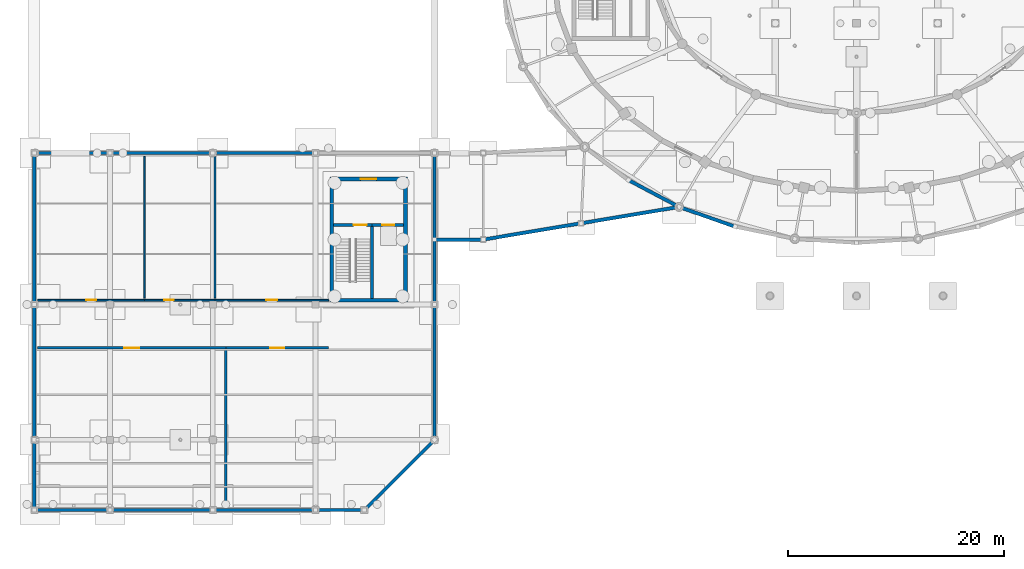
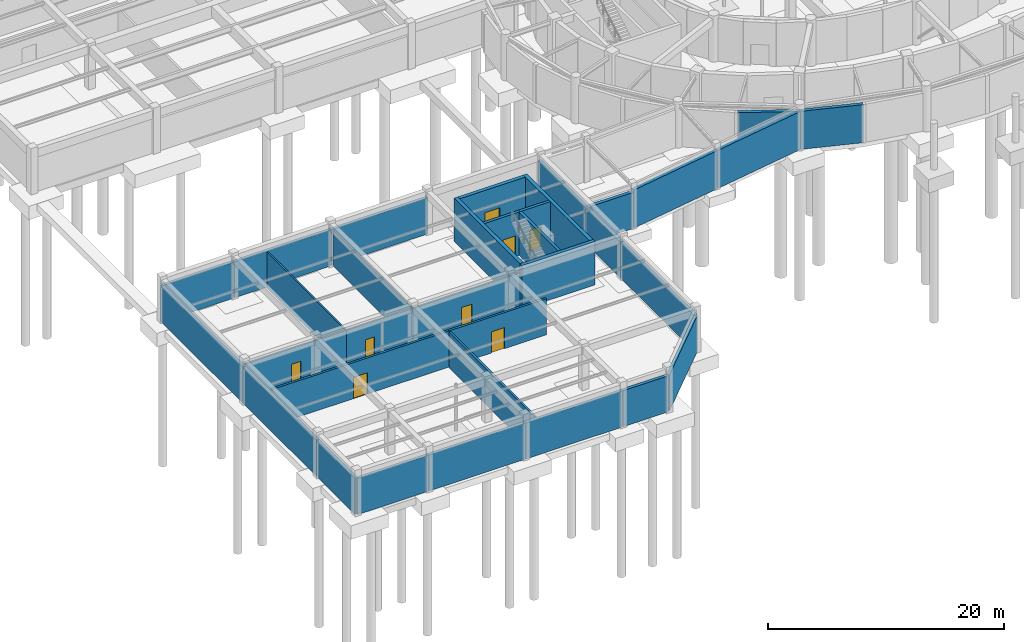
# One storey, part 19 of 42: 34 walls, 8 doors, 8 openings.
"""IFC4 building model written with IfcOpenShell, lengths in metres."""

from ifc_helpers import new_model, si_unit, direction, frame, frame_2d, origin, place, context, subcontext, project, spatial, rectangle, extrude, material, layer, layer_set, type_object, element, fill, save


model = new_model("IFC4")

# Units and contexts
model_context = context("Model", 3, precision=1e-05, world=origin(), true_north=direction((0.0, 1.0)))
body_context = subcontext(model_context, "Body", "Model", "MODEL_VIEW")
ifc_project = project(units=[si_unit("LENGTHUNIT", "METRE"), si_unit("AREAUNIT", "SQUARE_METRE"), si_unit("VOLUMEUNIT", "CUBIC_METRE"), si_unit("PLANEANGLEUNIT", "RADIAN"), si_unit("MASSUNIT", "GRAM", prefix="KILO")], contexts=[model_context])

# Site, building, storey
site_placement = place(None, origin())
site = spatial("IfcSite", under=ifc_project, at=site_placement, CompositionType="ELEMENT")
building_placement = place(site_placement, origin())
building = spatial("IfcBuilding", under=site, at=building_placement, Name="Tarnveldt Headland Concert Hall", CompositionType="ELEMENT")
storey_placement = place(building_placement, frame((0.0, 0.0, -4.800048828125)))
storey = spatial("IfcBuildingStorey", under=building, at=storey_placement, Name="B1", CompositionType="ELEMENT", Elevation=-4.800048828125)

# Wall
ifc_material_1 = material(Name="Concrete C40/50", Category="concrete")
ifc_layer_1 = layer(ifc_material_1, 0.35009765625, Name="Concrete C40/50", Category="concrete")
ifc_layer_set_1 = layer_set([ifc_layer_1], Name="Concrete C40/50")
wall_type_1 = type_object("IfcWallType", Name="WL-CR350", PredefinedType="SHEAR", material=ifc_layer_set_1)
wall_1_placement = place(storey_placement, frame((34.824951171875, 24.39990234375, 0.0), z_axis=(0.0, 0.0, 1.0), x_axis=(1.0, 0.0, 0.0)))
element("IfcWall", 1, at=wall_1_placement, inside=storey, type_object=wall_type_1, Name="Core C5 south shear wall B1", PredefinedType="SHEAR", context=body_context, shape_type="SweptSolid", body=[
    extrude(rectangle(XDim=7.150146484375, YDim=0.35009765625, at=frame_2d((3.5751953125, 0.0))), origin(), (0.0, 0.0, 1.0), 4.5),
])

# Wall, opening, door
wall_2_placement = place(storey_placement, frame((35.175048828125, 35.60009765625, 0.0), z_axis=(0.0, 0.0, 1.0), x_axis=(1.0, 0.0, 0.0)))
wall_2 = element("IfcWall", 2, at=wall_2_placement, inside=storey, type_object=wall_type_1, Name="Core C5 north shear wall B1", PredefinedType="SHEAR", context=body_context, shape_type="SweptSolid", body=[
    extrude(rectangle(XDim=6.449951171875, YDim=0.35009765625, at=frame_2d((3.22509765625, 0.0))), origin(), (0.0, 0.0, 1.0), 4.5),
])
opening_1_placement = place(wall_2_placement, frame((2.5, 0.0, 0.0)))
opening_1 = element("IfcOpeningElement", 3, at=opening_1_placement, cuts=wall_2, Name="Opening LBD-C5-B1", PredefinedType="OPENING", context=body_context, shape_type="SweptSolid", body=[
    extrude(rectangle(XDim=1.449951171875, YDim=2.199951171875, at=frame_2d((0.72509765625, 1.10009765625))), frame((0.0, 0.18505859375, 0.0), z_axis=(0.0, -1.0, 0.0), x_axis=(1.0, 0.0, 0.0)), (0.0, 0.0, 1.0), 0.3701171875),
])
ifc_material_2 = material(Name="Galvanised painted steel sheet", Category="steel")
door_type_1 = type_object("IfcDoorType", Name="DR-LB145", OperationType="NOTDEFINED", PredefinedType="DOOR", material=ifc_material_2)
door_1_placement = place(opening_1_placement, origin())
door_1 = element("IfcDoor", 4, at=door_1_placement, inside=storey, type_object=door_type_1, Name="Core C5 lobby entrance door B1", OperationType="SINGLE_SWING_RIGHT", OverallHeight=2.199951171875, OverallWidth=1.449951171875, PredefinedType="DOOR", context=body_context, shape_type="SweptSolid", body=[
    extrude(rectangle(XDim=1.449951171875, YDim=2.199951171875, at=frame_2d((0.72509765625, 1.10009765625))), frame((0.0, 0.02490234375, 0.0), z_axis=(0.0, -1.0, 0.0), x_axis=(1.0, 0.0, 0.0)), (0.0, 0.0, 1.0), 0.050048828125),
])
fill(opening_1, door_1)

# Walls
for number, where, z_axis, x_axis, name in (
    (5, (35.0, 24.574951171875, 0.0), (0.0, 0.0, 1.0), (0.0, 1.0, 0.0), "Core C5 west shear wall B1"),
    (6, (41.800048828125, 24.574951171875, 0.0), (0.0, 0.0, 1.0), (0.0, 1.0, 0.0), "Core C5 east shear wall B1"),
):
    element("IfcWall", number, at=place(storey_placement, frame(where, z_axis=z_axis, x_axis=x_axis)), inside=storey, type_object=wall_type_1, Name=name, PredefinedType="SHEAR", context=body_context, shape_type="SweptSolid", body=[
        extrude(rectangle(XDim=11.199951171875, YDim=0.35009765625, at=frame_2d((5.60009765625, 0.0))), origin(), (0.0, 0.0, 1.0), 4.5),
    ])
ifc_material_3 = material(Name="Coral-toned precast concrete C40/50", Category="concrete")
ifc_layer_2 = layer(ifc_material_3, 0.300048828125, Name="Coral-toned precast concrete C40/50", Category="concrete")
ifc_layer_set_2 = layer_set([ifc_layer_2], Name="Coral-toned precast concrete C40/50")
wall_type_2 = type_object("IfcWallType", Name="WL-EX300", PredefinedType="SOLIDWALL", material=ifc_layer_set_2)
wall_3_placement = place(storey_placement, frame((14.47998046875, 5.0, 0.0), z_axis=(0.0, 0.0, 1.0), x_axis=(-1.0, 0.0, 0.0)))
element("IfcWall", 7, at=wall_3_placement, inside=storey, type_object=wall_type_2, Name="External precast wall B1-187", PredefinedType="SOLIDWALL", context=body_context, shape_type="SweptSolid", body=[
    extrude(rectangle(XDim=6.9599609375, YDim=0.300048828125, at=frame_2d((3.47998046875, 0.0))), origin(), (0.0, 0.0, 1.0), 3.738037109375),
])
for number, where, z_axis, x_axis, name in (
    (8, (23.97998046875, 5.0, 0.0), (0.0, 0.0, 1.0), (-1.0, 0.0, 0.0), "External precast wall B1-188"),
    (9, (33.47998046875, 5.0, 0.0), (0.0, 0.0, 1.0), (-1.0, 0.0, 0.0), "External precast wall B1-189"),
):
    element("IfcWall", number, at=place(storey_placement, frame(where, z_axis=z_axis, x_axis=x_axis)), inside=storey, type_object=wall_type_2, Name=name, PredefinedType="SOLIDWALL", context=body_context, shape_type="SweptSolid", body=[
        extrude(rectangle(XDim=9.4599609375, YDim=0.300048828125, at=frame_2d((4.72998046875, 0.0))), origin(), (0.0, 0.0, 1.0), 3.738037109375),
    ])
wall_4_placement = place(storey_placement, frame((37.97998046875, 5.0, 0.0), z_axis=(0.0, 0.0, 1.0), x_axis=(-1.0, 0.0, 0.0)))
element("IfcWall", 10, at=wall_4_placement, inside=storey, type_object=wall_type_2, Name="External precast wall B1-190", PredefinedType="SOLIDWALL", context=body_context, shape_type="SweptSolid", body=[
    extrude(rectangle(XDim=4.4599609375, YDim=0.300048828125, at=frame_2d((2.22998046875, 0.0))), origin(), (0.0, 0.0, 1.0), 3.738037109375),
])
wall_5_placement = place(storey_placement, frame((44.48583984375, 11.48583984375, 0.0), z_axis=(0.0, 0.0, 1.0), x_axis=(-0.707106781187, -0.707106781187, 0.0)))
element("IfcWall", 11, at=wall_5_placement, inside=storey, type_object=wall_type_2, Name="External precast wall B1-191", PredefinedType="SOLIDWALL", context=body_context, shape_type="SweptSolid", body=[
    extrude(rectangle(XDim=9.15234375, YDim=0.300048828125, at=frame_2d((4.576171875, 0.0))), origin(), (0.0, 0.0, 1.0), 3.738037109375),
])
wall_6_placement = place(storey_placement, frame((44.5, 23.97998046875, 0.0), z_axis=(0.0, 0.0, 1.0), x_axis=(0.0, -1.0, 0.0)))
element("IfcWall", 12, at=wall_6_placement, inside=storey, type_object=wall_type_2, Name="External precast wall B1-192", PredefinedType="SOLIDWALL", context=body_context, shape_type="SweptSolid", body=[
    extrude(rectangle(XDim=12.4599609375, YDim=0.300048828125, at=frame_2d((6.22998046875, 0.0))), origin(), (0.0, 0.0, 1.0), 3.738037109375),
])
wall_7_placement = place(storey_placement, frame((44.5, 29.97998046875, 0.0), z_axis=(0.0, 0.0, 1.0), x_axis=(0.0, -1.0, 0.0)))
element("IfcWall", 13, at=wall_7_placement, inside=storey, type_object=wall_type_2, Name="External precast wall B1-193", PredefinedType="SOLIDWALL", context=body_context, shape_type="SweptSolid", body=[
    extrude(rectangle(XDim=5.9599609375, YDim=0.300048828125, at=frame_2d((2.97998046875, 0.0))), origin(), (0.0, 0.0, 1.0), 3.738037109375),
])
wall_8_placement = place(storey_placement, frame((44.5, 37.97998046875, 0.0), z_axis=(0.0, 0.0, 1.0), x_axis=(0.0, -1.0, 0.0)))
element("IfcWall", 14, at=wall_8_placement, inside=storey, type_object=wall_type_2, Name="External precast wall B1-194", PredefinedType="SOLIDWALL", context=body_context, shape_type="SweptSolid", body=[
    extrude(rectangle(XDim=7.9599609375, YDim=0.300048828125, at=frame_2d((3.97998046875, 0.0))), origin(), (0.0, 0.0, 1.0), 3.738037109375),
])
for number, where, z_axis, x_axis, name in (
    (15, (24.02001953125, 38.0, 0.0), (0.0, 0.0, 1.0), (1.0, 0.0, 0.0), "External precast wall B1-196"),
    (16, (14.52001953125, 38.0, 0.0), (0.0, 0.0, 1.0), (1.0, 0.0, 0.0), "External precast wall B1-197"),
):
    element("IfcWall", number, at=place(storey_placement, frame(where, z_axis=z_axis, x_axis=x_axis)), inside=storey, type_object=wall_type_2, Name=name, PredefinedType="SOLIDWALL", context=body_context, shape_type="SweptSolid", body=[
        extrude(rectangle(XDim=9.4599609375, YDim=0.300048828125, at=frame_2d((4.72998046875, 0.0))), origin(), (0.0, 0.0, 1.0), 3.738037109375),
    ])
wall_9_placement = place(storey_placement, frame((7.52001953125, 38.0, 0.0), z_axis=(0.0, 0.0, 1.0), x_axis=(1.0, 0.0, 0.0)))
element("IfcWall", 17, at=wall_9_placement, inside=storey, type_object=wall_type_2, Name="External precast wall B1-198", PredefinedType="SOLIDWALL", context=body_context, shape_type="SweptSolid", body=[
    extrude(rectangle(XDim=6.9599609375, YDim=0.300048828125, at=frame_2d((3.47998046875, 0.0))), origin(), (0.0, 0.0, 1.0), 3.738037109375),
])
wall_10_placement = place(storey_placement, frame((7.5, 24.02001953125, 0.0), z_axis=(0.0, 0.0, 1.0), x_axis=(0.0, 1.0, 0.0)))
element("IfcWall", 18, at=wall_10_placement, inside=storey, type_object=wall_type_2, Name="External precast wall B1-199", PredefinedType="SOLIDWALL", context=body_context, shape_type="SweptSolid", body=[
    extrude(rectangle(XDim=13.9599609375, YDim=0.300048828125, at=frame_2d((6.97998046875, 0.0))), origin(), (0.0, 0.0, 1.0), 3.738037109375),
])
wall_11_placement = place(storey_placement, frame((7.5, 11.52001953125, 0.0), z_axis=(0.0, 0.0, 1.0), x_axis=(0.0, 1.0, 0.0)))
element("IfcWall", 19, at=wall_11_placement, inside=storey, type_object=wall_type_2, Name="External precast wall B1-200", PredefinedType="SOLIDWALL", context=body_context, shape_type="SweptSolid", body=[
    extrude(rectangle(XDim=12.4599609375, YDim=0.300048828125, at=frame_2d((6.22998046875, 0.0))), origin(), (0.0, 0.0, 1.0), 3.738037109375),
])
wall_12_placement = place(storey_placement, frame((7.5, 5.02001953125, 0.0), z_axis=(0.0, 0.0, 1.0), x_axis=(0.0, 1.0, 0.0)))
element("IfcWall", 20, at=wall_12_placement, inside=storey, type_object=wall_type_2, Name="External precast wall B1-201", PredefinedType="SOLIDWALL", context=body_context, shape_type="SweptSolid", body=[
    extrude(rectangle(XDim=6.4599609375, YDim=0.300048828125, at=frame_2d((3.22998046875, 0.0))), origin(), (0.0, 0.0, 1.0), 3.738037109375),
])
ifc_layer_3 = layer(ifc_material_3, 0.324951171875, Name="Coral-toned precast concrete C40/50", Category="concrete")
ifc_layer_set_3 = layer_set([ifc_layer_3], Name="Coral-toned precast concrete C40/50")
wall_type_3 = type_object("IfcWallType", Name="WL-EX325", PredefinedType="SOLIDWALL", material=ifc_layer_set_3)
wall_13_placement = place(storey_placement, frame((67.082275390625, 33.031982421875, 0.0), z_axis=(0.0, 0.0, 1.0), x_axis=(-0.883786787155, 0.467889853332, 0.0)))
element("IfcWall", 21, at=wall_13_placement, inside=storey, type_object=wall_type_3, Name="External precast wall B1-24", PredefinedType="SOLIDWALL", context=body_context, shape_type="SweptSolid", body=[
    extrude(rectangle(XDim=5.259033203125, YDim=0.324951171875, at=frame_2d((2.62939453125, 0.0))), origin(), (0.0, 0.0, 1.0), 3.949951171875),
])
wall_14_placement = place(storey_placement, frame((72.2626953125, 31.202392578125, 0.0), z_axis=(0.0, 0.0, 1.0), x_axis=(-0.943104319689, 0.332496980713, 0.0)))
element("IfcWall", 22, at=wall_14_placement, inside=storey, type_object=wall_type_3, Name="External precast wall B1-25", PredefinedType="SOLIDWALL", context=body_context, shape_type="SweptSolid", body=[
    extrude(rectangle(XDim=5.4541015625, YDim=0.324951171875, at=frame_2d((2.72705078125, 0.0))), origin(), (0.0, 0.0, 1.0), 3.949951171875),
])
wall_15_placement = place(storey_placement, frame((48.97998046875, 30.0, 0.0), z_axis=(0.0, 0.0, 1.0), x_axis=(-1.0, 0.0, 0.0)))
element("IfcWall", 23, at=wall_15_placement, inside=storey, type_object=wall_type_3, Name="External precast wall B1-241", PredefinedType="SOLIDWALL", context=body_context, shape_type="SweptSolid", body=[
    extrude(rectangle(XDim=4.4599609375, YDim=0.324951171875, at=frame_2d((2.22998046875, 0.0))), origin(), (0.0, 0.0, 1.0), 3.738037109375),
])
wall_16_placement = place(storey_placement, frame((58.0302734375, 31.508056640625, 0.0), z_axis=(0.0, 0.0, 1.0), x_axis=(-0.986342592575, -0.164706678897, 0.0)))
element("IfcWall", 24, at=wall_16_placement, inside=storey, type_object=wall_type_3, Name="External precast wall B1-242", PredefinedType="SOLIDWALL", context=body_context, shape_type="SweptSolid", body=[
    extrude(rectangle(XDim=9.13525390625, YDim=0.324951171875, at=frame_2d((4.567626953125, 0.0))), origin(), (0.0, 0.0, 1.0), 3.949951171875),
])
wall_17_placement = place(storey_placement, frame((67.080322265625, 33.019287109375, 0.0), z_axis=(0.0, 0.0, 1.0), x_axis=(-0.986343317552, -0.164702337327, 0.0)))
element("IfcWall", 25, at=wall_17_placement, inside=storey, type_object=wall_type_3, Name="External precast wall B1-243", PredefinedType="SOLIDWALL", context=body_context, shape_type="SweptSolid", body=[
    extrude(rectangle(XDim=9.135498046875, YDim=0.324951171875, at=frame_2d((4.56787109375, 0.0))), origin(), (0.0, 0.0, 1.0), 3.949951171875),
])
ifc_material_4 = material(Name="Acoustic multi-layer gypsum and mineral-wool partition", Category="gypsum")
ifc_layer_4 = layer(ifc_material_4, 0.14990234375, Name="Acoustic multi-layer gypsum and mineral-wool partition", Category="gypsum")
ifc_layer_set_4 = layer_set([ifc_layer_4], Name="Acoustic multi-layer gypsum and mineral-wool partition")
wall_type_4 = type_object("IfcWallType", Name="WL-PT150", PredefinedType="PARTITIONING", material=ifc_layer_set_4)
for number, where, z_axis, x_axis, name in (
    (26, (17.699951171875, 24.60009765625, 0.0), (0.0, 0.0, 1.0), (0.0, 1.0, 0.0), "Interior acoustic partition B1-7"),
    (27, (24.199951171875, 24.60009765625, 0.0), (0.0, 0.0, 1.0), (0.0, 1.0, 0.0), "Interior acoustic partition B1-8"),
):
    element("IfcWall", number, at=place(storey_placement, frame(where, z_axis=z_axis, x_axis=x_axis)), inside=storey, type_object=wall_type_4, Name=name, PredefinedType="PARTITIONING", context=body_context, shape_type="SweptSolid", body=[
        extrude(rectangle(XDim=13.099853515625, YDim=0.14990234375, at=frame_2d((6.5498046875, 0.0))), origin(), (0.0, 0.0, 1.0), 3.739990234375),
    ])

# Wall, opening, door
ifc_layer_5 = layer(ifc_material_4, 0.1650390625, Name="Acoustic multi-layer gypsum and mineral-wool partition", Category="gypsum")
ifc_layer_set_5 = layer_set([ifc_layer_5], Name="Acoustic multi-layer gypsum and mineral-wool partition")
wall_type_5 = type_object("IfcWallType", Name="WL-PT165", PredefinedType="PARTITIONING", material=ifc_layer_set_5)
wall_18_placement = place(storey_placement, frame((7.800048828125, 24.39990234375, 0.0), z_axis=(0.0, 0.0, 1.0), x_axis=(1.0, 0.0, 0.0)))
wall_18 = element("IfcWall", 28, at=wall_18_placement, inside=storey, type_object=wall_type_5, Name="Interior acoustic partition B1-4", PredefinedType="PARTITIONING", context=body_context, shape_type="SweptSolid", body=[
    extrude(rectangle(XDim=9.89990234375, YDim=0.1650390625, at=frame_2d((4.949951171875, 0.0))), origin(), (0.0, 0.0, 1.0), 3.739990234375),
])
opening_2_placement = place(wall_18_placement, frame((4.489990234375, 0.0, 0.0)))
opening_2 = element("IfcOpeningElement", 29, at=opening_2_placement, cuts=wall_18, Name="Opening D-B1-047", PredefinedType="OPENING", context=body_context, shape_type="SweptSolid", body=[
    extrude(rectangle(XDim=0.919921875, YDim=2.10009765625, at=frame_2d((0.4599609375, 1.050048828125))), frame((0.0, 0.092529296875, 0.0), z_axis=(0.0, -1.0, 0.0), x_axis=(1.0, 0.0, 0.0)), (0.0, 0.0, 1.0), 0.18505859375),
])
ifc_material_5 = material(Name="Treated East African mvule hardwood", Category="wood")
door_type_2 = type_object("IfcDoorType", Name="DR-WC092", OperationType="NOTDEFINED", PredefinedType="DOOR", material=ifc_material_5)
door_2_placement = place(opening_2_placement, origin())
door_2 = element("IfcDoor", 30, at=door_2_placement, inside=storey, type_object=door_type_2, Name="Interior room door B1-47", OperationType="SINGLE_SWING_LEFT", OverallHeight=2.10009765625, OverallWidth=0.919921875, PredefinedType="DOOR", context=body_context, shape_type="SweptSolid", body=[
    extrude(rectangle(XDim=0.919921875, YDim=2.10009765625, at=frame_2d((0.4599609375, 1.050048828125))), frame((0.0, 0.02490234375, 0.0), z_axis=(0.0, -1.0, 0.0), x_axis=(1.0, 0.0, 0.0)), (0.0, 0.0, 1.0), 0.050048828125),
])
fill(opening_2, door_2)

wall_19_placement = place(storey_placement, frame((17.699951171875, 24.39990234375, 0.0), z_axis=(0.0, 0.0, 1.0), x_axis=(1.0, 0.0, 0.0)))
wall_19 = element("IfcWall", 31, at=wall_19_placement, inside=storey, type_object=wall_type_5, Name="Interior acoustic partition B1-5", PredefinedType="PARTITIONING", context=body_context, shape_type="SweptSolid", body=[
    extrude(rectangle(XDim=6.5, YDim=0.1650390625, at=frame_2d((3.25, 0.0))), origin(), (0.0, 0.0, 1.0), 3.739990234375),
])
opening_3_placement = place(wall_19_placement, frame((1.830078125, 0.0, 0.0)))
opening_3 = element("IfcOpeningElement", 32, at=opening_3_placement, cuts=wall_19, Name="Opening D-B1-048", PredefinedType="OPENING", context=body_context, shape_type="SweptSolid", body=[
    extrude(rectangle(XDim=0.8798828125, YDim=2.10009765625, at=frame_2d((0.43994140625, 1.050048828125))), frame((0.0, 0.092529296875, 0.0), z_axis=(0.0, -1.0, 0.0), x_axis=(1.0, 0.0, 0.0)), (0.0, 0.0, 1.0), 0.18505859375),
])
door_type_3 = type_object("IfcDoorType", Name="DR-WC088", OperationType="NOTDEFINED", PredefinedType="DOOR", material=ifc_material_5)
door_3_placement = place(opening_3_placement, origin())
door_3 = element("IfcDoor", 33, at=door_3_placement, inside=storey, type_object=door_type_3, Name="Interior room door B1-48", OperationType="SINGLE_SWING_RIGHT", OverallHeight=2.10009765625, OverallWidth=0.8798828125, PredefinedType="DOOR", context=body_context, shape_type="SweptSolid", body=[
    extrude(rectangle(XDim=0.8798828125, YDim=2.10009765625, at=frame_2d((0.43994140625, 1.050048828125))), frame((0.0, 0.02490234375, 0.0), z_axis=(0.0, -1.0, 0.0), x_axis=(1.0, 0.0, 0.0)), (0.0, 0.0, 1.0), 0.050048828125),
])
fill(opening_3, door_3)

wall_20_placement = place(storey_placement, frame((24.199951171875, 24.39990234375, 0.0), z_axis=(0.0, 0.0, 1.0), x_axis=(1.0, 0.0, 0.0)))
wall_20 = element("IfcWall", 34, at=wall_20_placement, inside=storey, type_object=wall_type_5, Name="Interior acoustic partition B1-6", PredefinedType="PARTITIONING", context=body_context, shape_type="SweptSolid", body=[
    extrude(rectangle(XDim=10.5, YDim=0.1650390625, at=frame_2d((5.25, 0.0))), origin(), (0.0, 0.0, 1.0), 3.739990234375),
])
opening_4_placement = place(wall_20_placement, frame((4.72509765625, 0.0, 0.0)))
opening_4 = element("IfcOpeningElement", 35, at=opening_4_placement, cuts=wall_20, Name="Opening D-B1-049", PredefinedType="OPENING", context=body_context, shape_type="SweptSolid", body=[
    extrude(rectangle(XDim=1.050048828125, YDim=2.14990234375, at=frame_2d((0.52490234375, 1.074951171875))), frame((0.0, 0.092529296875, 0.0), z_axis=(0.0, -1.0, 0.0), x_axis=(1.0, 0.0, 0.0)), (0.0, 0.0, 1.0), 0.18505859375),
])
door_type_4 = type_object("IfcDoorType", Name="DR-RM105", OperationType="NOTDEFINED", PredefinedType="DOOR", material=ifc_material_5)
door_4_placement = place(opening_4_placement, origin())
door_4 = element("IfcDoor", 36, at=door_4_placement, inside=storey, type_object=door_type_4, Name="Interior room door B1-49", OperationType="SINGLE_SWING_LEFT", OverallHeight=2.14990234375, OverallWidth=1.050048828125, PredefinedType="DOOR", context=body_context, shape_type="SweptSolid", body=[
    extrude(rectangle(XDim=1.050048828125, YDim=2.14990234375, at=frame_2d((0.52490234375, 1.074951171875))), frame((0.0, 0.02490234375, 0.0), z_axis=(0.0, -1.0, 0.0), x_axis=(1.0, 0.0, 0.0)), (0.0, 0.0, 1.0), 0.050048828125),
])
fill(opening_4, door_4)

# Wall
ifc_layer_6 = layer(ifc_material_4, 0.199951171875, Name="Acoustic multi-layer gypsum and mineral-wool partition", Category="gypsum")
ifc_layer_set_6 = layer_set([ifc_layer_6], Name="Acoustic multi-layer gypsum and mineral-wool partition")
wall_type_6 = type_object("IfcWallType", Name="WL-PT200", PredefinedType="PARTITIONING", material=ifc_layer_set_6)
wall_21_placement = place(storey_placement, frame((25.199951171875, 5.300048828125, 0.0), z_axis=(0.0, 0.0, 1.0), x_axis=(0.0, 1.0, 0.0)))
element("IfcWall", 37, at=wall_21_placement, inside=storey, type_object=wall_type_6, Name="Interior acoustic partition B1-3", PredefinedType="PARTITIONING", context=body_context, shape_type="SweptSolid", body=[
    extrude(rectangle(XDim=14.5, YDim=0.199951171875, at=frame_2d((7.25, 0.0))), origin(), (0.0, 0.0, 1.0), 3.739990234375),
])

# Wall, opening, door
ifc_layer_7 = layer(ifc_material_4, 0.215087890625, Name="Acoustic multi-layer gypsum and mineral-wool partition", Category="gypsum")
ifc_layer_set_7 = layer_set([ifc_layer_7], Name="Acoustic multi-layer gypsum and mineral-wool partition")
wall_type_7 = type_object("IfcWallType", Name="WL-PT215", PredefinedType="PARTITIONING", material=ifc_layer_set_7)
wall_22_placement = place(storey_placement, frame((7.800048828125, 20.0, 0.0), z_axis=(0.0, 0.0, 1.0), x_axis=(1.0, 0.0, 0.0)))
wall_22 = element("IfcWall", 38, at=wall_22_placement, inside=storey, type_object=wall_type_7, Name="Interior acoustic partition B1-1", PredefinedType="PARTITIONING", context=body_context, shape_type="SweptSolid", body=[
    extrude(rectangle(XDim=17.39990234375, YDim=0.215087890625, at=frame_2d((8.699951171875, 0.0))), origin(), (0.0, 0.0, 1.0), 3.739990234375),
])
opening_5_placement = place(wall_22_placement, frame((8.0, 0.0, 0.0)))
opening_5 = element("IfcOpeningElement", 39, at=opening_5_placement, cuts=wall_22, Name="Opening D-B1-045", PredefinedType="OPENING", context=body_context, shape_type="SweptSolid", body=[
    extrude(rectangle(XDim=1.39990234375, YDim=2.199951171875, at=frame_2d((0.699951171875, 1.10009765625))), frame((0.0, 0.117431640625, 0.0), z_axis=(0.0, -1.0, 0.0), x_axis=(1.0, 0.0, 0.0)), (0.0, 0.0, 1.0), 0.235107421875),
])
door_type_5 = type_object("IfcDoorType", Name="DR-PL140", OperationType="NOTDEFINED", PredefinedType="DOOR", material=ifc_material_2)
door_5_placement = place(opening_5_placement, origin())
door_5 = element("IfcDoor", 40, at=door_5_placement, inside=storey, type_object=door_type_5, Name="Interior room door B1-45", OperationType="SINGLE_SWING_LEFT", OverallHeight=2.199951171875, OverallWidth=1.39990234375, PredefinedType="DOOR", context=body_context, shape_type="SweptSolid", body=[
    extrude(rectangle(XDim=1.39990234375, YDim=2.199951171875, at=frame_2d((0.699951171875, 1.10009765625))), frame((0.0, 0.02490234375, 0.0), z_axis=(0.0, -1.0, 0.0), x_axis=(1.0, 0.0, 0.0)), (0.0, 0.0, 1.0), 0.050048828125),
])
fill(opening_5, door_5)

wall_23_placement = place(storey_placement, frame((25.199951171875, 20.0, 0.0), z_axis=(0.0, 0.0, 1.0), x_axis=(1.0, 0.0, 0.0)))
wall_23 = element("IfcWall", 41, at=wall_23_placement, inside=storey, type_object=wall_type_7, Name="Interior acoustic partition B1-2", PredefinedType="PARTITIONING", context=body_context, shape_type="SweptSolid", body=[
    extrude(rectangle(XDim=9.5, YDim=0.215087890625, at=frame_2d((4.75, 0.0))), origin(), (0.0, 0.0, 1.0), 3.739990234375),
])
opening_6_placement = place(wall_23_placement, frame((4.110107421875, 0.0, 0.0)))
opening_6 = element("IfcOpeningElement", 42, at=opening_6_placement, cuts=wall_23, Name="Opening D-B1-046", PredefinedType="OPENING", context=body_context, shape_type="SweptSolid", body=[
    extrude(rectangle(XDim=1.280029296875, YDim=2.179931640625, at=frame_2d((0.64013671875, 1.08984375))), frame((0.0, 0.117431640625, 0.0), z_axis=(0.0, -1.0, 0.0), x_axis=(1.0, 0.0, 0.0)), (0.0, 0.0, 1.0), 0.235107421875),
])
door_type_6 = type_object("IfcDoorType", Name="DR-PL128", OperationType="NOTDEFINED", PredefinedType="DOOR", material=ifc_material_2)
door_6_placement = place(opening_6_placement, origin())
door_6 = element("IfcDoor", 43, at=door_6_placement, inside=storey, type_object=door_type_6, Name="Interior room door B1-46", OperationType="SINGLE_SWING_RIGHT", OverallHeight=2.179931640625, OverallWidth=1.280029296875, PredefinedType="DOOR", context=body_context, shape_type="SweptSolid", body=[
    extrude(rectangle(XDim=1.280029296875, YDim=2.179931640625, at=frame_2d((0.64013671875, 1.08984375))), frame((0.0, 0.02490234375, 0.0), z_axis=(0.0, -1.0, 0.0), x_axis=(1.0, 0.0, 0.0)), (0.0, 0.0, 1.0), 0.050048828125),
])
fill(opening_6, door_6)

# Wall
ifc_layer_8 = layer(ifc_material_1, 0.27490234375, Name="Concrete C40/50", Category="concrete")
ifc_layer_set_8 = layer_set([ifc_layer_8], Name="Concrete C40/50")
wall_type_8 = type_object("IfcWallType", Name="WL-SH275", PredefinedType="SHEAR", material=ifc_layer_set_8)
wall_24_placement = place(storey_placement, frame((38.699951171875, 24.574951171875, 0.0), z_axis=(0.0, 0.0, 1.0), x_axis=(0.0, 1.0, 0.0)))
element("IfcWall", 44, at=wall_24_placement, inside=storey, type_object=wall_type_8, Name="Core C5 shaft divider wall B1", PredefinedType="SHEAR", context=body_context, shape_type="SweptSolid", body=[
    extrude(rectangle(XDim=6.637451171875, YDim=0.27490234375, at=frame_2d((3.31884765625, 0.0))), origin(), (0.0, 0.0, 1.0), 4.5),
])

# Wall, opening, door
wall_25_placement = place(storey_placement, frame((35.175048828125, 31.35009765625, 0.0), z_axis=(0.0, 0.0, 1.0), x_axis=(1.0, 0.0, 0.0)))
wall_25 = element("IfcWall", 45, at=wall_25_placement, inside=storey, type_object=wall_type_8, Name="Core C5 stair enclosure wall B1", PredefinedType="SHEAR", context=body_context, shape_type="SweptSolid", body=[
    extrude(rectangle(XDim=3.52490234375, YDim=0.27490234375, at=frame_2d((1.762451171875, 0.0))), origin(), (0.0, 0.0, 1.0), 4.5),
])
opening_7_placement = place(wall_25_placement, frame((1.8349609375, 0.0, 0.0)))
opening_7 = element("IfcOpeningElement", 46, at=opening_7_placement, cuts=wall_25, Name="Opening SD-C5-B1", PredefinedType="OPENING", context=body_context, shape_type="SweptSolid", body=[
    extrude(rectangle(XDim=1.199951171875, YDim=2.14990234375, at=frame_2d((0.60009765625, 1.074951171875))), frame((0.0, 0.1474609375, 0.0), z_axis=(0.0, -1.0, 0.0), x_axis=(1.0, 0.0, 0.0)), (0.0, 0.0, 1.0), 0.294921875),
])
door_type_7 = type_object("IfcDoorType", Name="DR-ST120", OperationType="NOTDEFINED", PredefinedType="DOOR", material=ifc_material_2)
door_7_placement = place(opening_7_placement, origin())
door_7 = element("IfcDoor", 47, at=door_7_placement, inside=storey, type_object=door_type_7, Name="Core C5 stair fire door B1", OperationType="SINGLE_SWING_RIGHT", OverallHeight=2.14990234375, OverallWidth=1.199951171875, PredefinedType="DOOR", context=body_context, shape_type="SweptSolid", body=[
    extrude(rectangle(XDim=1.199951171875, YDim=2.14990234375, at=frame_2d((0.60009765625, 1.074951171875))), frame((0.0, 0.02490234375, 0.0), z_axis=(0.0, -1.0, 0.0), x_axis=(1.0, 0.0, 0.0)), (0.0, 0.0, 1.0), 0.050048828125),
])
fill(opening_7, door_7)

wall_26_placement = place(storey_placement, frame((38.699951171875, 31.35009765625, 0.0), z_axis=(0.0, 0.0, 1.0), x_axis=(1.0, 0.0, 0.0)))
wall_26 = element("IfcWall", 48, at=wall_26_placement, inside=storey, type_object=wall_type_8, Name="Core C5 lift shaft front wall B1", PredefinedType="SHEAR", context=body_context, shape_type="SweptSolid", body=[
    extrude(rectangle(XDim=2.925048828125, YDim=0.27490234375, at=frame_2d((1.46240234375, 0.0))), origin(), (0.0, 0.0, 1.0), 4.5),
])
opening_8_placement = place(wall_26_placement, frame((0.982421875, 0.0, 0.0)))
opening_8 = element("IfcOpeningElement", 49, at=opening_8_placement, cuts=wall_26, Name="Opening LD-LP-05-B1", PredefinedType="OPENING", context=body_context, shape_type="SweptSolid", body=[
    extrude(rectangle(XDim=1.10009765625, YDim=2.14990234375, at=frame_2d((0.550048828125, 1.074951171875))), frame((0.0, 0.1474609375, 0.0), z_axis=(0.0, -1.0, 0.0), x_axis=(1.0, 0.0, 0.0)), (0.0, 0.0, 1.0), 0.294921875),
])
door_type_8 = type_object("IfcDoorType", Name="LD-110", OperationType="NOTDEFINED", PredefinedType="DOOR", material=ifc_material_2)
door_8_placement = place(opening_8_placement, origin())
door_8 = element("IfcDoor", 50, at=door_8_placement, inside=storey, type_object=door_type_8, Name="Lift LP-05 sliding landing door B1", OperationType="DOUBLE_DOOR_SLIDING", OverallHeight=2.14990234375, OverallWidth=1.10009765625, PredefinedType="DOOR", context=body_context, shape_type="SweptSolid", body=[
    extrude(rectangle(XDim=1.10009765625, YDim=2.14990234375, at=frame_2d((0.550048828125, 1.074951171875))), frame((0.0, 0.02490234375, 0.0), z_axis=(0.0, -1.0, 0.0), x_axis=(1.0, 0.0, 0.0)), (0.0, 0.0, 1.0), 0.050048828125),
])
fill(opening_8, door_8)

save(model, "model.ifc")
